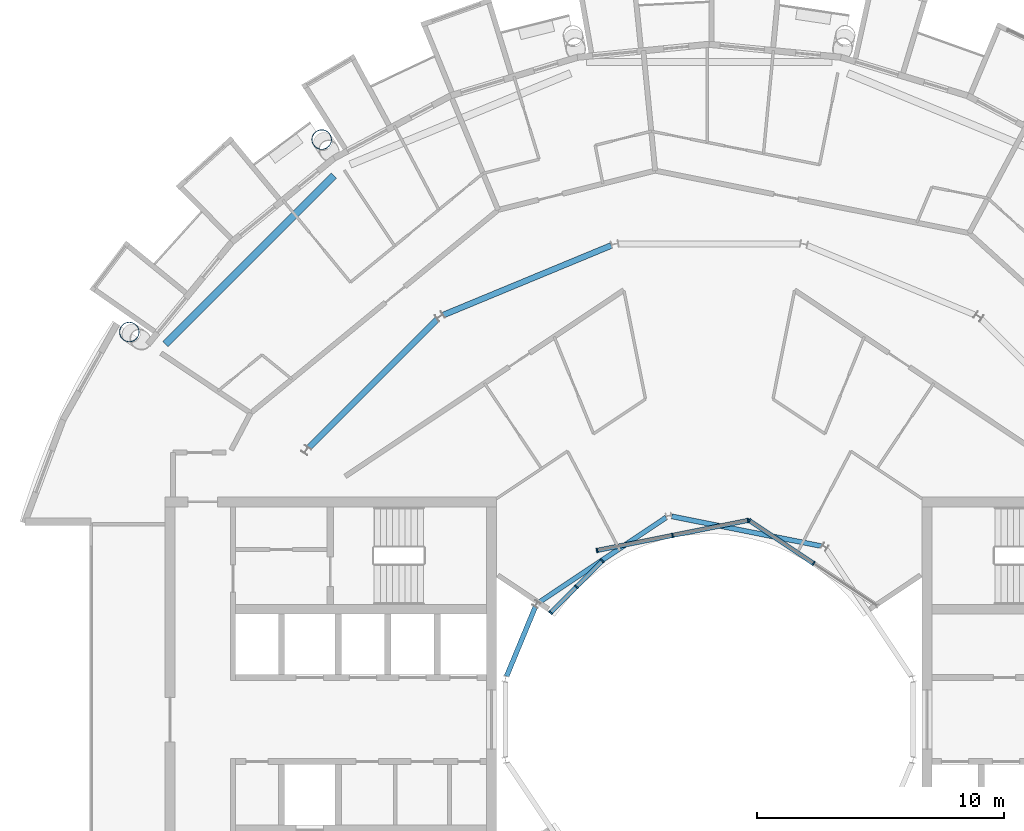
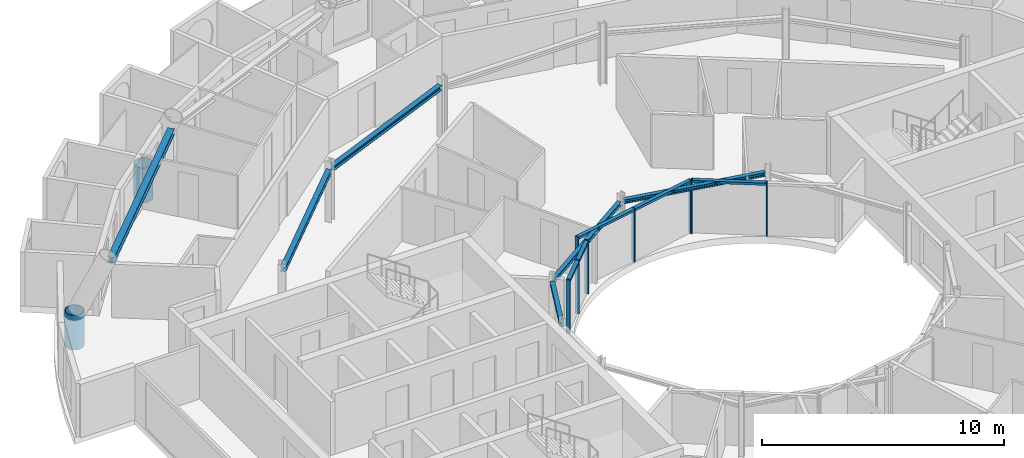
# One storey, part 9 of 28: 15 members, 6 beams, 3 elements without a shape of their own.
"""IFC4 building model written with IfcOpenShell, lengths in metres."""

from ifc_helpers import new_model, si_unit, direction, frame, origin, origin_2d, place, context, subcontext, project, spatial, rectangle, hollow_circle, i_section, extrude, material, layer, layer_set, material_profile, profile_set, type_object, element, aggregate, save


model = new_model("IFC4")

# Units and contexts
model_context = context("Model", 3, precision=1e-05, world=origin(), true_north=direction((0.0, 1.0)))
body_context = subcontext(model_context, "Body", "Model", "MODEL_VIEW")
ifc_project = project(units=[si_unit("LENGTHUNIT", "METRE"), si_unit("AREAUNIT", "SQUARE_METRE"), si_unit("VOLUMEUNIT", "CUBIC_METRE"), si_unit("PLANEANGLEUNIT", "RADIAN"), si_unit("MASSUNIT", "GRAM", prefix="KILO")], contexts=[model_context])

# Site, building, storey
site_placement = place(None, origin())
site = spatial("IfcSite", under=ifc_project, at=site_placement, CompositionType="ELEMENT")
building_placement = place(site_placement, origin())
building = spatial("IfcBuilding", under=site, at=building_placement, Name="Maasbend Ring Residences", CompositionType="ELEMENT")
storey_placement = place(building_placement, frame((0.0, 0.0, 231.0)))
storey = spatial("IfcBuildingStorey", under=building, at=storey_placement, Name="L66", CompositionType="ELEMENT", Elevation=231.0)

# Curtain wall, members
ifc_material_1 = material(Name="Aluminium and clear glass", Category="aluminium")
ifc_layer = layer(ifc_material_1, 0.179931640625)
ifc_layer_set = layer_set([ifc_layer], Name="CW-W")
curtain_wall_type = type_object("IfcCurtainWallType", Name="CW-W", PredefinedType="NOTDEFINED", material=ifc_layer_set)
curtain_wall_1_placement = place(storey_placement, origin())
curtain_wall_1 = element("IfcCurtainWall", 1, at=curtain_wall_1_placement, inside=storey, type_object=curtain_wall_type, Name="Well curtain wall N1", PredefinedType="NOTDEFINED")
ifc_material_2 = material(Name="Aluminium 6063-T6", Category="aluminium")
ifc_material_profile_1 = material_profile(ifc_material_2, rectangle(XDim=0.179931640625, YDim=0.06005859375, at=origin_2d()), Name="AL 180x60")
ifc_profile_set_1 = profile_set([ifc_material_profile_1], Name="Aluminium 6063-T6")
member_type_1 = type_object("IfcMemberType", Name="CWM-W", PredefinedType="MULLION", material=ifc_profile_set_1)
member_1_placement = place(storey_placement, frame((4.216796875, 6.310791015625, 0.0), z_axis=(0.0, 0.0, 1.0), x_axis=(-0.55557023302, -0.831469612303, 0.0)))
member_1 = element("IfcMember", 2, at=member_1_placement, type_object=member_type_1, Name="Mullion well face", PredefinedType="MULLION", context=body_context, shape_type="SweptSolid", body=[
    extrude(rectangle(XDim=0.179931640625, YDim=0.06005859375, at=origin_2d()), origin(), (0.0, 0.0, 1.0), 2.699951171875),
])
member_2_placement = place(storey_placement, frame((1.627685546875, 8.040771484375, 0.0), z_axis=(0.0, 0.0, 1.0), x_axis=(-0.55557023302, -0.831469612303, 0.0)))
member_2 = element("IfcMember", 3, at=member_2_placement, type_object=member_type_1, Name="Mullion well face", PredefinedType="MULLION", context=body_context, shape_type="SweptSolid", body=[
    extrude(rectangle(XDim=0.179931640625, YDim=0.06005859375, at=origin_2d()), origin(), (0.0, 0.0, 1.0), 2.699951171875),
])

curtain_wall_2_placement = place(storey_placement, origin())
curtain_wall_2 = element("IfcCurtainWall", 4, at=curtain_wall_2_placement, inside=storey, type_object=curtain_wall_type, Name="Well curtain wall N2", PredefinedType="NOTDEFINED")
member_3_placement = place(storey_placement, frame((1.5732421875, 8.0517578125, 0.0), z_axis=(0.0, 0.0, 1.0), x_axis=(0.195090322016, -0.980785280403, 0.0)))
member_3 = element("IfcMember", 5, at=member_3_placement, type_object=member_type_1, Name="Mullion well face", PredefinedType="MULLION", context=body_context, shape_type="SweptSolid", body=[
    extrude(rectangle(XDim=0.179931640625, YDim=0.06005859375, at=origin_2d()), origin(), (0.0, 0.0, 1.0), 2.699951171875),
])
member_4_placement = place(storey_placement, frame((-1.480712890625, 7.444091796875, 0.0), z_axis=(0.0, 0.0, 1.0), x_axis=(0.195090322016, -0.980785280403, 0.0)))
member_4 = element("IfcMember", 6, at=member_4_placement, type_object=member_type_1, Name="Mullion well face", PredefinedType="MULLION", context=body_context, shape_type="SweptSolid", body=[
    extrude(rectangle(XDim=0.179931640625, YDim=0.06005859375, at=origin_2d()), origin(), (0.0, 0.0, 1.0), 2.699951171875),
])
member_5_placement = place(storey_placement, frame((-4.53466796875, 6.836669921875, 0.0), z_axis=(0.0, 0.0, 1.0), x_axis=(0.195090322016, -0.980785280403, 0.0)))
member_5 = element("IfcMember", 7, at=member_5_placement, type_object=member_type_1, Name="Mullion well face", PredefinedType="MULLION", context=body_context, shape_type="SweptSolid", body=[
    extrude(rectangle(XDim=0.179931640625, YDim=0.06005859375, at=origin_2d()), origin(), (0.0, 0.0, 1.0), 2.699951171875),
])

curtain_wall_3_placement = place(storey_placement, origin())
curtain_wall_3 = element("IfcCurtainWall", 8, at=curtain_wall_3_placement, inside=storey, type_object=curtain_wall_type, Name="Well curtain wall N3", PredefinedType="NOTDEFINED")
member_6_placement = place(storey_placement, frame((-4.320556640625, 6.413330078125, 0.0), z_axis=(0.0, 0.0, 1.0), x_axis=(0.707106781187, -0.707106781187, 0.0)))
member_6 = element("IfcMember", 9, at=member_6_placement, type_object=member_type_1, Name="Mullion well face", PredefinedType="MULLION", context=body_context, shape_type="SweptSolid", body=[
    extrude(rectangle(XDim=0.179931640625, YDim=0.06005859375, at=origin_2d()), origin(), (0.0, 0.0, 1.0), 2.699951171875),
])
member_7_placement = place(storey_placement, frame((-5.366943359375, 5.366943359375, 0.0), z_axis=(0.0, 0.0, 1.0), x_axis=(0.707106781187, -0.707106781187, 0.0)))
member_7 = element("IfcMember", 10, at=member_7_placement, type_object=member_type_1, Name="Mullion well face", PredefinedType="MULLION", context=body_context, shape_type="SweptSolid", body=[
    extrude(rectangle(XDim=0.179931640625, YDim=0.06005859375, at=origin_2d()), origin(), (0.0, 0.0, 1.0), 2.699951171875),
])
member_8_placement = place(storey_placement, frame((-6.413330078125, 4.320556640625, 0.0), z_axis=(0.0, 0.0, 1.0), x_axis=(0.707106781187, -0.707106781187, 0.0)))
member_8 = element("IfcMember", 11, at=member_8_placement, type_object=member_type_1, Name="Mullion well face", PredefinedType="MULLION", context=body_context, shape_type="SweptSolid", body=[
    extrude(rectangle(XDim=0.179931640625, YDim=0.06005859375, at=origin_2d()), origin(), (0.0, 0.0, 1.0), 2.699951171875),
])

# Member
ifc_material_3 = material(Name="Aluminium 6063-T6", Category="aluminium")
ifc_material_profile_2 = material_profile(ifc_material_3, rectangle(XDim=0.179931640625, YDim=0.1201171875, at=origin_2d()), Name="AL 180x120")
ifc_profile_set_2 = profile_set([ifc_material_profile_2], Name="Aluminium 6063-T6")
member_type_2 = type_object("IfcMemberType", Name="CWT-W", PredefinedType="USERDEFINED", material=ifc_profile_set_2)
member_9_placement = place(storey_placement, frame((4.19189453125, 6.32763671875, 2.639892578125), z_axis=(-0.831496422459, 0.555530106689, 0.0), x_axis=(-0.555530106689, -0.831496422459, 0.0)))
member_9 = element("IfcMember", 12, at=member_9_placement, type_object=member_type_2, Name="Transom well face", ObjectType="TRANSOM", PredefinedType="USERDEFINED", context=body_context, shape_type="SweptSolid", body=[
    extrude(rectangle(XDim=0.179931640625, YDim=0.1201171875, at=origin_2d()), origin(), (0.0, 0.0, 1.0), 3.053955078125),
])

aggregate(curtain_wall_1, [member_1, member_2, member_9])

member_10_placement = place(storey_placement, frame((1.5439453125, 8.0458984375, 2.639892578125), z_axis=(-0.980776956105, -0.195132166424, 0.0), x_axis=(0.195132166424, -0.980776956105, 0.0)))
member_10 = element("IfcMember", 13, at=member_10_placement, type_object=member_type_2, Name="Transom well face", ObjectType="TRANSOM", PredefinedType="USERDEFINED", context=body_context, shape_type="SweptSolid", body=[
    extrude(rectangle(XDim=0.179931640625, YDim=0.1201171875, at=origin_2d()), origin(), (0.0, 0.0, 1.0), 3.053955078125),
])

member_11_placement = place(storey_placement, frame((-1.51025390625, 7.438232421875, 2.639892578125), z_axis=(-0.980789210404, -0.19507056353, 0.0), x_axis=(0.19507056353, -0.980789210404, 0.0)))
member_11 = element("IfcMember", 14, at=member_11_placement, type_object=member_type_2, Name="Transom well face", ObjectType="TRANSOM", PredefinedType="USERDEFINED", context=body_context, shape_type="SweptSolid", body=[
    extrude(rectangle(XDim=0.179931640625, YDim=0.1201171875, at=origin_2d()), origin(), (0.0, 0.0, 1.0), 3.0537109375),
])

aggregate(curtain_wall_2, [member_3, member_4, member_5, member_10, member_11])

member_12_placement = place(storey_placement, frame((-4.341796875, 6.39208984375, 2.639892578125), z_axis=(-0.707106781187, -0.707106781187, 0.0), x_axis=(0.707106781187, -0.707106781187, 0.0)))
member_12 = element("IfcMember", 15, at=member_12_placement, type_object=member_type_2, Name="Transom well face", ObjectType="TRANSOM", PredefinedType="USERDEFINED", context=body_context, shape_type="SweptSolid", body=[
    extrude(rectangle(XDim=0.179931640625, YDim=0.1201171875, at=origin_2d()), origin(), (0.0, 0.0, 1.0), 1.419677734375),
])

member_13_placement = place(storey_placement, frame((-5.38818359375, 5.345703125, 2.639892578125), z_axis=(-0.707106781187, -0.707106781187, 0.0), x_axis=(0.707106781187, -0.707106781187, 0.0)))
member_13 = element("IfcMember", 16, at=member_13_placement, type_object=member_type_2, Name="Transom well face", ObjectType="TRANSOM", PredefinedType="USERDEFINED", context=body_context, shape_type="SweptSolid", body=[
    extrude(rectangle(XDim=0.179931640625, YDim=0.1201171875, at=origin_2d()), origin(), (0.0, 0.0, 1.0), 1.419677734375),
])

aggregate(curtain_wall_3, [member_6, member_7, member_8, member_12, member_13])

# Members
ifc_material_4 = material(Name="Steel S460NH", Category="steel")
ifc_material_profile_3 = material_profile(ifc_material_4, hollow_circle(Radius=0.406494140625, WallThickness=0.030029296875, at=origin_2d()), Name="Column node insert CHS 813x30")
ifc_profile_set_3 = profile_set([ifc_material_profile_3], Name="Steel S460NH")
member_type_3 = type_object("IfcMemberType", Name="Column node insert CHS 813x30", PredefinedType="POST", material=ifc_profile_set_3)
for number, where, z_axis, x_axis, name in (
    (17, (-15.6669921875, 23.447509765625, -1.5), (0.0, 0.0, 1.0), (1.0, 0.0, 0.0), "Column node insert R6"),
    (18, (-23.447509765625, 15.6669921875, -1.5), (0.0, 0.0, 1.0), (1.0, 0.0, 0.0), "Column node insert R7"),
):
    element("IfcMember", number, at=place(storey_placement, frame(where, z_axis=z_axis, x_axis=x_axis)), inside=storey, type_object=member_type_3, Name=name, PredefinedType="POST", context=body_context, shape_type="SweptSolid", body=[
        extrude(hollow_circle(Radius=0.406494140625, WallThickness=0.030029296875, at=origin_2d()), origin(), (0.0, 0.0, 1.0), 1.74169921875),
    ])

# Beams
ifc_material_5 = material(Name="Steel S355J2", Category="steel")
ifc_material_profile_4 = material_profile(ifc_material_5, i_section(OverallWidth=0.239990234375, OverallDepth=0.22998046875, WebThickness=0.007568359375, FlangeThickness=0.011962890625, FilletRadius=0.02099609375, at=origin_2d()), Name="HEA 240")
ifc_profile_set_4 = profile_set([ifc_material_profile_4], Name="Steel S355J2")
beam_type_1 = type_object("IfcBeamType", Name="Corridor ring beam HEA 240", PredefinedType="BEAM", material=ifc_profile_set_4)
beam_1_placement = place(storey_placement, frame((-3.965087890625, 19.164794921875, 2.5849609375), z_axis=(-0.923875784142, -0.382692481603, 0.0), x_axis=(0.382692481603, -0.923875784142, 0.0)))
element("IfcBeam", 19, at=beam_1_placement, inside=storey, type_object=beam_type_1, Name="Corridor ring beam", PredefinedType="BEAM", context=body_context, shape_type="SweptSolid", body=[
    extrude(i_section(OverallWidth=0.239990234375, OverallDepth=0.22998046875, WebThickness=0.007568359375, FlangeThickness=0.011962890625, FilletRadius=0.02099609375, at=origin_2d()), origin(), (0.0, 0.0, 1.0), 7.341552734375),
])
beam_2_placement = place(storey_placement, frame((-10.997314453125, 16.188720703125, 2.5849609375), z_axis=(-0.707106781187, -0.707106781187, 0.0), x_axis=(0.707106781187, -0.707106781187, 0.0)))
element("IfcBeam", 20, at=beam_2_placement, inside=storey, type_object=beam_type_1, Name="Corridor ring beam", PredefinedType="BEAM", context=body_context, shape_type="SweptSolid", body=[
    extrude(i_section(OverallWidth=0.239990234375, OverallDepth=0.22998046875, WebThickness=0.007568359375, FlangeThickness=0.011962890625, FilletRadius=0.02099609375, at=origin_2d()), origin(), (0.0, 0.0, 1.0), 7.341796875),
])
ifc_material_6 = material(Name="Steel S355J2", Category="steel")
ifc_material_profile_5 = material_profile(ifc_material_6, i_section(OverallWidth=0.300048828125, OverallDepth=0.300048828125, WebThickness=0.010986328125, FlangeThickness=0.01904296875, FilletRadius=0.027099609375, at=origin_2d()), Name="HEB 300")
ifc_profile_set_5 = profile_set([ifc_material_profile_5], Name="Steel S355J2")
beam_type_2 = type_object("IfcBeamType", Name="Spandrel ring beam HEB 300", PredefinedType="SPANDREL", material=ifc_profile_set_5)
beam_3_placement = place(storey_placement, frame((-15.1767578125, 21.99609375, 2.550048828125), z_axis=(-0.707106781187, -0.707106781187, 0.0), x_axis=(0.707106781187, -0.707106781187, 0.0)))
element("IfcBeam", 21, at=beam_3_placement, inside=storey, type_object=beam_type_2, Name="Spandrel ring beam", PredefinedType="SPANDREL", context=body_context, shape_type="SweptSolid", body=[
    extrude(i_section(OverallWidth=0.300048828125, OverallDepth=0.300048828125, WebThickness=0.010986328125, FlangeThickness=0.01904296875, FilletRadius=0.027099609375, at=origin_2d()), origin(), (0.0, 0.0, 1.0), 9.64404296875),
])
ifc_material_7 = material(Name="Steel S355J2", Category="steel")
ifc_material_profile_6 = material_profile(ifc_material_7, i_section(OverallWidth=0.199951171875, OverallDepth=0.18994140625, WebThickness=0.006591796875, FlangeThickness=0.010009765625, FilletRadius=0.01806640625, at=origin_2d()), Name="HEA 200")
ifc_profile_set_6 = profile_set([ifc_material_profile_6], Name="Steel S355J2")
beam_type_3 = type_object("IfcBeamType", Name="Well edge beam HEA 200", PredefinedType="BEAM", material=ifc_profile_set_6)
for number, where, z_axis, x_axis, name in (
    (22, (4.544677734375, 7.008544921875, 2.60498046875), (-0.98078072474, 0.195113223486, 0.0), (-0.195113223486, -0.98078072474, 0.0), "Well edge beam"),
    (23, (-1.7421875, 8.16943359375, 2.60498046875), (-0.831484648286, -0.555547729421, 0.0), (0.555547729421, -0.831484648286, 0.0), "Well edge beam"),
):
    element("IfcBeam", number, at=place(storey_placement, frame(where, z_axis=z_axis, x_axis=x_axis)), inside=storey, type_object=beam_type_3, Name=name, PredefinedType="BEAM", context=body_context, shape_type="SweptSolid", body=[
        extrude(i_section(OverallWidth=0.199951171875, OverallDepth=0.18994140625, WebThickness=0.006591796875, FlangeThickness=0.010009765625, FilletRadius=0.01806640625, at=origin_2d()), origin(), (0.0, 0.0, 1.0), 6.18017578125),
    ])
beam_4_placement = place(storey_placement, frame((-7.029296875, 4.55859375, 2.60498046875), z_axis=(-0.382609241817, -0.923910259753, 0.0), x_axis=(0.923910259753, -0.382609241817, 0.0)))
element("IfcBeam", 24, at=beam_4_placement, inside=storey, type_object=beam_type_3, Name="Well edge beam", PredefinedType="BEAM", context=body_context, shape_type="SweptSolid", body=[
    extrude(i_section(OverallWidth=0.199951171875, OverallDepth=0.18994140625, WebThickness=0.006591796875, FlangeThickness=0.010009765625, FilletRadius=0.01806640625, at=origin_2d()), origin(), (0.0, 0.0, 1.0), 3.04296875),
])

save(model, "model.ifc")
